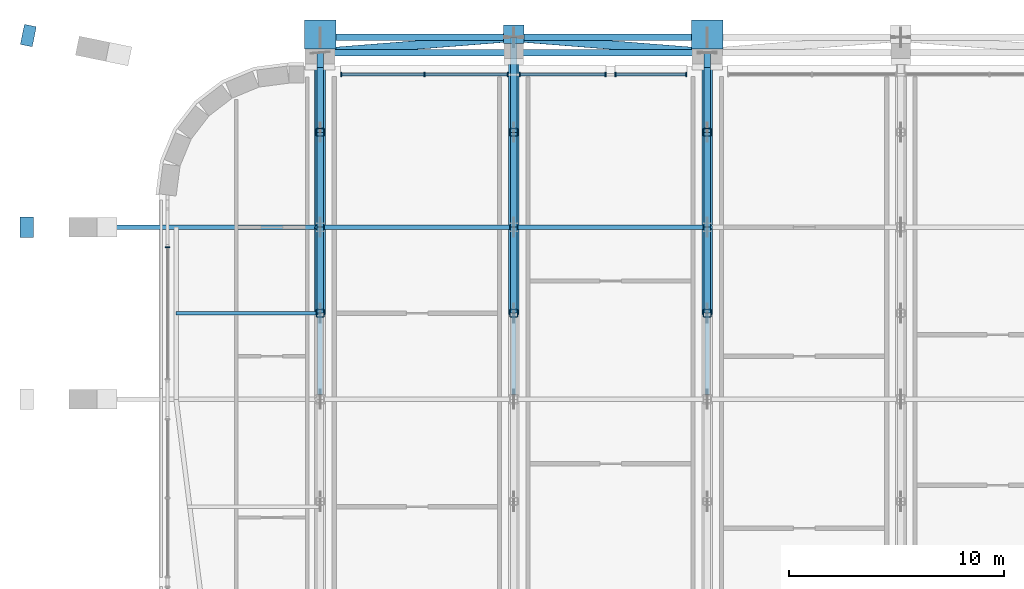
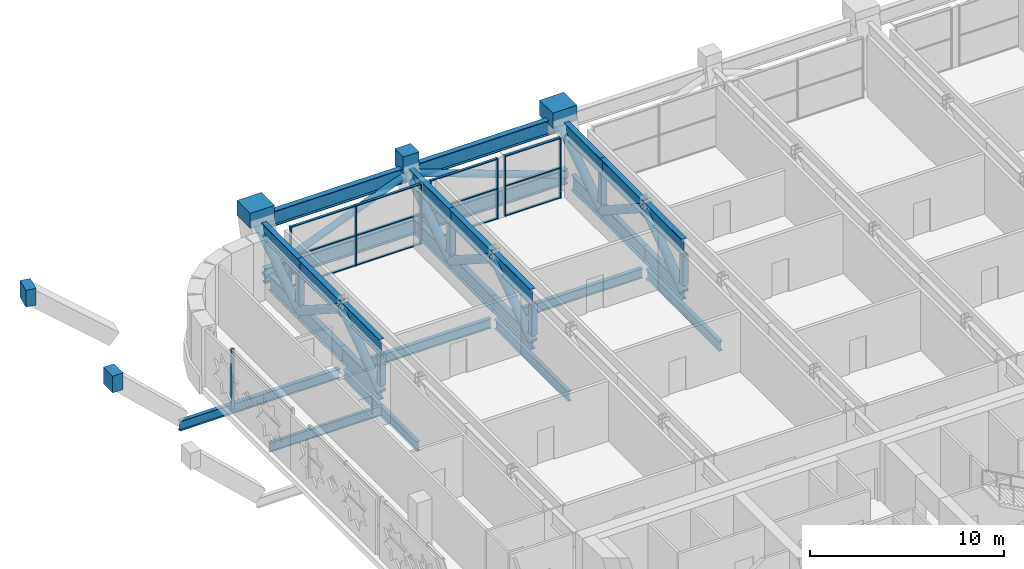
# One storey, part 8 of 26: 59 members, 12 beams, 4 elements without a shape of their own.
"""IFC4 building model written with IfcOpenShell, lengths in metres."""

from ifc_helpers import new_model, si_unit, direction, frame, origin, origin_2d, place, context, subcontext, project, spatial, rectangle, hollow_rectangle, hollow_circle, i_section, extrude, material, material_profile, profile_set, type_object, element, aggregate, save


model = new_model("IFC4")

# Units and contexts
model_context = context("Model", 3, precision=1e-05, world=origin(), true_north=direction((0.0, 1.0)))
body_context = subcontext(model_context, "Body", "Model", "MODEL_VIEW")
ifc_project = project(units=[si_unit("LENGTHUNIT", "METRE"), si_unit("AREAUNIT", "SQUARE_METRE"), si_unit("VOLUMEUNIT", "CUBIC_METRE"), si_unit("PLANEANGLEUNIT", "RADIAN"), si_unit("MASSUNIT", "GRAM", prefix="KILO")], contexts=[model_context])

# Site, building, storey
site_placement = place(None, origin())
site = spatial("IfcSite", under=ifc_project, at=site_placement, CompositionType="ELEMENT")
building_placement = place(site_placement, origin())
building = spatial("IfcBuilding", under=site, at=building_placement, Name="Zellij Exchange Tower", CompositionType="ELEMENT")
storey_placement = place(building_placement, frame((0.0, 0.0, 216.5)))
storey = spatial("IfcBuildingStorey", under=building, at=storey_placement, Name="L50", CompositionType="ELEMENT", Elevation=216.5)

# Curtain wall, members
ifc_material_1 = material(Name="Aluminium frame, clear insulating glass", Category="aluminium")
curtain_wall_type = type_object("IfcCurtainWallType", Name="ENV-CW2 Outrigger-storey glazing", PredefinedType="NOTDEFINED", material=ifc_material_1)
curtain_wall_1_placement = place(storey_placement, origin())
curtain_wall_1 = element("IfcCurtainWall", 1, at=curtain_wall_1_placement, inside=storey, type_object=curtain_wall_type, Name="cw.L50.14f", PredefinedType="NOTDEFINED")
ifc_material_2 = material(Name="Aluminium", Category="aluminium")
ifc_material_profile_1 = material_profile(ifc_material_2, rectangle(XDim=0.06005859375, YDim=0.199951171875, at=origin_2d()), Name="AL 60x200")
ifc_profile_set_1 = profile_set([ifc_material_profile_1], Name="Aluminium")
member_type_1 = type_object("IfcMemberType", Name="ENV-CW2M Mullion 60x200", PredefinedType="MULLION", material=ifc_profile_set_1)
member_1_placement = place(storey_placement, frame((-9.97998046875, 29.10009765625, 0.0), z_axis=(0.0, 0.0, 1.0), x_axis=(-1.0, 0.0, 0.0)))
member_1 = element("IfcMember", 2, at=member_1_placement, type_object=member_type_1, Name="CW2 mullion 1", PredefinedType="MULLION", context=body_context, shape_type="SweptSolid", body=[
    extrude(rectangle(XDim=0.06005859375, YDim=0.199951171875, at=origin_2d()), origin(), (0.0, 0.0, 1.0), 3.800048828125),
])
member_2_placement = place(storey_placement, frame((-13.27001953125, 29.10009765625, 0.0), z_axis=(0.0, 0.0, 1.0), x_axis=(-1.0, 0.0, 0.0)))
member_2 = element("IfcMember", 3, at=member_2_placement, type_object=member_type_1, Name="CW2 mullion 2", PredefinedType="MULLION", context=body_context, shape_type="SweptSolid", body=[
    extrude(rectangle(XDim=0.06005859375, YDim=0.199951171875, at=origin_2d()), origin(), (0.0, 0.0, 1.0), 3.800048828125),
])

curtain_wall_2_placement = place(storey_placement, origin())
curtain_wall_2 = element("IfcCurtainWall", 4, at=curtain_wall_2_placement, inside=storey, type_object=curtain_wall_type, Name="cw.L50.14g.a", PredefinedType="NOTDEFINED")
member_3_placement = place(storey_placement, frame((-13.72998046875, 29.10009765625, 0.0), z_axis=(0.0, 0.0, 1.0), x_axis=(-1.0, 0.0, 0.0)))
member_3 = element("IfcMember", 5, at=member_3_placement, type_object=member_type_1, Name="CW2 mullion 1", PredefinedType="MULLION", context=body_context, shape_type="SweptSolid", body=[
    extrude(rectangle(XDim=0.06005859375, YDim=0.199951171875, at=origin_2d()), origin(), (0.0, 0.0, 1.0), 3.800048828125),
])
member_4_placement = place(storey_placement, frame((-17.72021484375, 29.10009765625, 0.0), z_axis=(0.0, 0.0, 1.0), x_axis=(-1.0, 0.0, 0.0)))
member_4 = element("IfcMember", 6, at=member_4_placement, type_object=member_type_1, Name="CW2 mullion 2", PredefinedType="MULLION", context=body_context, shape_type="SweptSolid", body=[
    extrude(rectangle(XDim=0.06005859375, YDim=0.199951171875, at=origin_2d()), origin(), (0.0, 0.0, 1.0), 3.800048828125),
])

curtain_wall_3_placement = place(storey_placement, origin())
curtain_wall_3 = element("IfcCurtainWall", 7, at=curtain_wall_3_placement, inside=storey, type_object=curtain_wall_type, Name="cw.L50.14g.b", PredefinedType="NOTDEFINED")
member_5_placement = place(storey_placement, frame((-18.27978515625, 29.10009765625, 0.0), z_axis=(0.0, 0.0, 1.0), x_axis=(-1.0, 0.0, 0.0)))
member_5 = element("IfcMember", 8, at=member_5_placement, type_object=member_type_1, Name="CW2 mullion 1", PredefinedType="MULLION", context=body_context, shape_type="SweptSolid", body=[
    extrude(rectangle(XDim=0.06005859375, YDim=0.199951171875, at=origin_2d()), origin(), (0.0, 0.0, 1.0), 3.800048828125),
])
member_6_placement = place(storey_placement, frame((-22.14990234375, 29.10009765625, 0.0), z_axis=(0.0, 0.0, 1.0), x_axis=(-1.0, 0.0, 0.0)))
member_6 = element("IfcMember", 9, at=member_6_placement, type_object=member_type_1, Name="CW2 mullion 2", PredefinedType="MULLION", context=body_context, shape_type="SweptSolid", body=[
    extrude(rectangle(XDim=0.06005859375, YDim=0.199951171875, at=origin_2d()), origin(), (0.0, 0.0, 1.0), 3.800048828125),
])
member_7_placement = place(storey_placement, frame((-26.02001953125, 29.10009765625, 0.0), z_axis=(0.0, 0.0, 1.0), x_axis=(-1.0, 0.0, 0.0)))
member_7 = element("IfcMember", 10, at=member_7_placement, type_object=member_type_1, Name="CW2 mullion 3", PredefinedType="MULLION", context=body_context, shape_type="SweptSolid", body=[
    extrude(rectangle(XDim=0.06005859375, YDim=0.199951171875, at=origin_2d()), origin(), (0.0, 0.0, 1.0), 3.800048828125),
])

# Curtain wall, member
curtain_wall_4_placement = place(storey_placement, origin())
curtain_wall_4 = element("IfcCurtainWall", 11, at=curtain_wall_4_placement, inside=storey, type_object=curtain_wall_type, Name="cw.L50.21a.a", PredefinedType="NOTDEFINED")
member_8_placement = place(storey_placement, frame((-34.10009765625, 21.070068359375, 0.0), z_axis=(0.0, 0.0, 1.0), x_axis=(0.0, -1.0, 0.0)))
member_8 = element("IfcMember", 12, at=member_8_placement, type_object=member_type_1, Name="CW2 mullion 1", PredefinedType="MULLION", context=body_context, shape_type="SweptSolid", body=[
    extrude(rectangle(XDim=0.06005859375, YDim=0.199951171875, at=origin_2d()), origin(), (0.0, 0.0, 1.0), 3.800048828125),
])
aggregate(curtain_wall_4, [member_8])

# Member
ifc_material_profile_2 = material_profile(ifc_material_2, rectangle(XDim=0.139892578125, YDim=0.06005859375, at=origin_2d()), Name="AL 140x60")
ifc_profile_set_2 = profile_set([ifc_material_profile_2], Name="Aluminium")
member_type_2 = type_object("IfcMemberType", Name="ENV-CW2T Transom 140x60", PredefinedType="USERDEFINED", material=ifc_profile_set_2)
member_9_placement = place(storey_placement, frame((-10.010009765625, 29.10009765625, 0.030029296875), z_axis=(-1.0, 0.0, 0.0), x_axis=(0.0, -1.0, 0.0)))
member_9 = element("IfcMember", 13, at=member_9_placement, type_object=member_type_2, Name="CW2 transom 1.1", ObjectType="TRANSOM", PredefinedType="USERDEFINED", context=body_context, shape_type="SweptSolid", body=[
    extrude(rectangle(XDim=0.139892578125, YDim=0.06005859375, at=origin_2d()), origin(), (0.0, 0.0, 1.0), 3.22998046875),
])

member_10_placement = place(storey_placement, frame((-10.010009765625, 29.10009765625, 1.89990234375), z_axis=(-1.0, 0.0, 0.0), x_axis=(0.0, -1.0, 0.0)))
member_10 = element("IfcMember", 14, at=member_10_placement, type_object=member_type_2, Name="CW2 transom 1.2", ObjectType="TRANSOM", PredefinedType="USERDEFINED", context=body_context, shape_type="SweptSolid", body=[
    extrude(rectangle(XDim=0.139892578125, YDim=0.06005859375, at=origin_2d()), origin(), (0.0, 0.0, 1.0), 3.22998046875),
])

member_11_placement = place(storey_placement, frame((-10.010009765625, 29.10009765625, 3.77001953125), z_axis=(-1.0, 0.0, 0.0), x_axis=(0.0, -1.0, 0.0)))
member_11 = element("IfcMember", 15, at=member_11_placement, type_object=member_type_2, Name="CW2 transom 1.3", ObjectType="TRANSOM", PredefinedType="USERDEFINED", context=body_context, shape_type="SweptSolid", body=[
    extrude(rectangle(XDim=0.139892578125, YDim=0.06005859375, at=origin_2d()), origin(), (0.0, 0.0, 1.0), 3.22998046875),
])

aggregate(curtain_wall_1, [member_1, member_2, member_9, member_10, member_11])

member_12_placement = place(storey_placement, frame((-13.760009765625, 29.10009765625, 0.030029296875), z_axis=(-1.0, 0.0, 0.0), x_axis=(0.0, -1.0, 0.0)))
member_12 = element("IfcMember", 16, at=member_12_placement, type_object=member_type_2, Name="CW2 transom 1.1", ObjectType="TRANSOM", PredefinedType="USERDEFINED", context=body_context, shape_type="SweptSolid", body=[
    extrude(rectangle(XDim=0.139892578125, YDim=0.06005859375, at=origin_2d()), origin(), (0.0, 0.0, 1.0), 3.93017578125),
])

member_13_placement = place(storey_placement, frame((-13.760009765625, 29.10009765625, 1.89990234375), z_axis=(-1.0, 0.0, 0.0), x_axis=(0.0, -1.0, 0.0)))
member_13 = element("IfcMember", 17, at=member_13_placement, type_object=member_type_2, Name="CW2 transom 1.2", ObjectType="TRANSOM", PredefinedType="USERDEFINED", context=body_context, shape_type="SweptSolid", body=[
    extrude(rectangle(XDim=0.139892578125, YDim=0.06005859375, at=origin_2d()), origin(), (0.0, 0.0, 1.0), 3.93017578125),
])

member_14_placement = place(storey_placement, frame((-13.760009765625, 29.10009765625, 3.77001953125), z_axis=(-1.0, 0.0, 0.0), x_axis=(0.0, -1.0, 0.0)))
member_14 = element("IfcMember", 18, at=member_14_placement, type_object=member_type_2, Name="CW2 transom 1.3", ObjectType="TRANSOM", PredefinedType="USERDEFINED", context=body_context, shape_type="SweptSolid", body=[
    extrude(rectangle(XDim=0.139892578125, YDim=0.06005859375, at=origin_2d()), origin(), (0.0, 0.0, 1.0), 3.93017578125),
])

aggregate(curtain_wall_2, [member_3, member_4, member_12, member_13, member_14])

member_15_placement = place(storey_placement, frame((-18.309814453125, 29.10009765625, 0.030029296875), z_axis=(-1.0, 0.0, 0.0), x_axis=(0.0, -1.0, 0.0)))
member_15 = element("IfcMember", 19, at=member_15_placement, type_object=member_type_2, Name="CW2 transom 1.1", ObjectType="TRANSOM", PredefinedType="USERDEFINED", context=body_context, shape_type="SweptSolid", body=[
    extrude(rectangle(XDim=0.139892578125, YDim=0.06005859375, at=origin_2d()), origin(), (0.0, 0.0, 1.0), 3.81005859375),
])

member_16_placement = place(storey_placement, frame((-18.309814453125, 29.10009765625, 1.89990234375), z_axis=(-1.0, 0.0, 0.0), x_axis=(0.0, -1.0, 0.0)))
member_16 = element("IfcMember", 20, at=member_16_placement, type_object=member_type_2, Name="CW2 transom 1.2", ObjectType="TRANSOM", PredefinedType="USERDEFINED", context=body_context, shape_type="SweptSolid", body=[
    extrude(rectangle(XDim=0.139892578125, YDim=0.06005859375, at=origin_2d()), origin(), (0.0, 0.0, 1.0), 3.81005859375),
])

member_17_placement = place(storey_placement, frame((-18.309814453125, 29.10009765625, 3.77001953125), z_axis=(-1.0, 0.0, 0.0), x_axis=(0.0, -1.0, 0.0)))
member_17 = element("IfcMember", 21, at=member_17_placement, type_object=member_type_2, Name="CW2 transom 1.3", ObjectType="TRANSOM", PredefinedType="USERDEFINED", context=body_context, shape_type="SweptSolid", body=[
    extrude(rectangle(XDim=0.139892578125, YDim=0.06005859375, at=origin_2d()), origin(), (0.0, 0.0, 1.0), 3.81005859375),
])

member_18_placement = place(storey_placement, frame((-22.179931640625, 29.10009765625, 0.030029296875), z_axis=(-1.0, 0.0, 0.0), x_axis=(0.0, -1.0, 0.0)))
member_18 = element("IfcMember", 22, at=member_18_placement, type_object=member_type_2, Name="CW2 transom 2.1", ObjectType="TRANSOM", PredefinedType="USERDEFINED", context=body_context, shape_type="SweptSolid", body=[
    extrude(rectangle(XDim=0.139892578125, YDim=0.06005859375, at=origin_2d()), origin(), (0.0, 0.0, 1.0), 3.81005859375),
])

member_19_placement = place(storey_placement, frame((-22.179931640625, 29.10009765625, 1.89990234375), z_axis=(-1.0, 0.0, 0.0), x_axis=(0.0, -1.0, 0.0)))
member_19 = element("IfcMember", 23, at=member_19_placement, type_object=member_type_2, Name="CW2 transom 2.2", ObjectType="TRANSOM", PredefinedType="USERDEFINED", context=body_context, shape_type="SweptSolid", body=[
    extrude(rectangle(XDim=0.139892578125, YDim=0.06005859375, at=origin_2d()), origin(), (0.0, 0.0, 1.0), 3.81005859375),
])

member_20_placement = place(storey_placement, frame((-22.179931640625, 29.10009765625, 3.77001953125), z_axis=(-1.0, 0.0, 0.0), x_axis=(0.0, -1.0, 0.0)))
member_20 = element("IfcMember", 24, at=member_20_placement, type_object=member_type_2, Name="CW2 transom 2.3", ObjectType="TRANSOM", PredefinedType="USERDEFINED", context=body_context, shape_type="SweptSolid", body=[
    extrude(rectangle(XDim=0.139892578125, YDim=0.06005859375, at=origin_2d()), origin(), (0.0, 0.0, 1.0), 3.81005859375),
])

aggregate(curtain_wall_3, [member_5, member_6, member_7, member_15, member_16, member_17, member_18, member_19, member_20])

# Beam
ifc_material_3 = material(Name="Structural steel ASTM A992 Gr 50", Category="steel")
ifc_material_profile_3 = material_profile(ifc_material_3, i_section(OverallWidth=0.177978515625, OverallDepth=0.599365234375, WebThickness=0.010009765625, FlangeThickness=0.012939453125, at=origin_2d()), Name="W24x55")
ifc_profile_set_3 = profile_set([ifc_material_profile_3], Name="Structural steel ASTM A992 Gr 50")
beam_type_1 = type_object("IfcBeamType", Name="STR-BEAM W24x55", PredefinedType="BEAM", material=ifc_profile_set_3)
beam_1_placement = place(storey_placement, frame((-33.699951171875, 18.0, -0.649658203125), z_axis=(1.0, 0.0, 0.0), x_axis=(0.0, 1.0, 0.0)))
element("IfcBeam", 25, at=beam_1_placement, inside=storey, type_object=beam_type_1, Name="B4", PredefinedType="BEAM", context=body_context, shape_type="SweptSolid", body=[
    extrude(i_section(OverallWidth=0.177978515625, OverallDepth=0.599365234375, WebThickness=0.010009765625, FlangeThickness=0.012939453125, at=origin_2d()), origin(), (0.0, 0.0, 1.0), 6.699951171875),
])

# Members
ifc_material_profile_4 = material_profile(ifc_material_3, i_section(OverallWidth=0.307373046875, OverallDepth=0.9423828125, WebThickness=0.022216796875, FlangeThickness=0.039794921875, at=origin_2d()), Name="W36x232")
ifc_profile_set_4 = profile_set([ifc_material_profile_4], Name="Structural steel ASTM A992 Gr 50")
member_type_3 = type_object("IfcMemberType", Name="STR-BELT TRUSS CHORD W36x232", PredefinedType="CHORD", material=ifc_profile_set_4)
for number, where, z_axis, x_axis, name in (
    (26, (-27.0, 30.117919921875, 0.47119140625), (1.0, 0.0, 0.0), (0.0, 1.0, 0.0), "BT1"),
    (27, (-27.0, 30.832275390625, 3.328857421875), (1.0, 0.0, 0.0), (0.0, 1.0, 0.0), "BT1"),
    (28, (-18.0, 30.117919921875, 0.47119140625), (1.0, 0.0, 0.0), (0.0, 1.0, 0.0), "BT1"),
    (29, (-18.0, 30.832275390625, 3.328857421875), (1.0, 0.0, 0.0), (0.0, 1.0, 0.0), "BT1"),
):
    element("IfcMember", number, at=place(storey_placement, frame(where, z_axis=z_axis, x_axis=x_axis)), inside=storey, type_object=member_type_3, Name=name, PredefinedType="CHORD", context=body_context, shape_type="SweptSolid", body=[
        extrude(i_section(OverallWidth=0.307373046875, OverallDepth=0.9423828125, WebThickness=0.022216796875, FlangeThickness=0.039794921875, at=origin_2d()), origin(), (0.0, 0.0, 1.0), 9.0),
    ])
ifc_material_4 = material(Name="Structural steel ASTM A500 Gr C", Category="steel")
ifc_material_profile_5 = material_profile(ifc_material_4, hollow_circle(Radius=0.203125, WallThickness=0.01171875, at=origin_2d()), Name="STR-BELT TRUSS DIAGONAL HSS16.000x0.500")
ifc_profile_set_5 = profile_set([ifc_material_profile_5], Name="Structural steel ASTM A500 Gr C")
member_type_4 = type_object("IfcMemberType", Name="STR-BELT TRUSS DIAGONAL HSS16.000x0.500", PredefinedType="BRACE", material=ifc_profile_set_5)
for number, where, z_axis, x_axis, name in (
    (30, (-27.0, 30.117919921875, 0.47119140625), (0.950392591406, 0.075435349459, 0.301767178885), (-0.079123978831, 0.996864783195, 0.0), "BT2"),
    (31, (-18.0, 30.832275390625, 3.328857421875), (0.950392591406, -0.075435349459, -0.301767178885), (0.079123978831, 0.996864783195, 0.0), "BT2"),
):
    element("IfcMember", number, at=place(storey_placement, frame(where, z_axis=z_axis, x_axis=x_axis)), inside=storey, type_object=member_type_4, Name=name, PredefinedType="BRACE", context=body_context, shape_type="SweptSolid", body=[
        extrude(hollow_circle(Radius=0.203125, WallThickness=0.01171875, at=origin_2d()), origin(), (0.0, 0.0, 1.0), 9.4697265625),
    ])

# Beams
ifc_material_5 = material(Name="Concrete C60/75", Category="concrete")
ifc_material_profile_6 = material_profile(ifc_material_5, rectangle(XDim=0.949951171875, YDim=1.050048828125, at=origin_2d()), Name="STR-END BLOCK KNUCKLE RC950x1050 C60/75")
ifc_profile_set_6 = profile_set([ifc_material_profile_6], Name="Concrete C60/75")
beam_type_2 = type_object("IfcBeamType", Name="STR-END BLOCK KNUCKLE RC950x1050 C60/75", PredefinedType="BEAM", material=ifc_profile_set_6)
beam_2_placement = place(storey_placement, frame((-40.343505859375, 22.0, 3.675048828125), z_axis=(-1.0, 0.0, 0.0), x_axis=(0.0, -1.0, 0.0)))
element("IfcBeam", 32, at=beam_2_placement, inside=storey, type_object=beam_type_2, Name="EK1", PredefinedType="BEAM", context=body_context, shape_type="SweptSolid", body=[
    extrude(rectangle(XDim=0.949951171875, YDim=1.050048828125, at=origin_2d()), origin(), (0.0, 0.0, 1.0), 0.61669921875),
])
beam_3_placement = place(storey_placement, frame((-40.29638671875, 30.855712890625, 3.625), z_axis=(-0.979602700641, 0.200944143721, 0.0), x_axis=(-0.200944143721, -0.979602700641, 0.0)))
element("IfcBeam", 33, at=beam_3_placement, inside=storey, type_object=beam_type_2, Name="EK1", PredefinedType="BEAM", context=body_context, shape_type="SweptSolid", body=[
    extrude(rectangle(XDim=0.949951171875, YDim=1.050048828125, at=origin_2d()), origin(), (0.0, 0.0, 1.0), 0.563720703125),
])
ifc_material_profile_7 = material_profile(ifc_material_3, i_section(OverallWidth=0.228271484375, OverallDepth=0.607177734375, WebThickness=0.01123046875, FlangeThickness=0.017333984375, at=origin_2d()), Name="W24x76")
ifc_profile_set_7 = profile_set([ifc_material_profile_7], Name="Structural steel ASTM A992 Gr 50")
beam_type_3 = type_object("IfcBeamType", Name="STR-GIRDER W24x76", PredefinedType="BEAM", material=ifc_profile_set_7)
beam_4_placement = place(storey_placement, frame((-36.75, 22.0, -0.653564453125), z_axis=(1.0, 0.0, 0.0), x_axis=(0.0, 1.0, 0.0)))
element("IfcBeam", 34, at=beam_4_placement, inside=storey, type_object=beam_type_3, Name="G2", PredefinedType="BEAM", context=body_context, shape_type="SweptSolid", body=[
    extrude(i_section(OverallWidth=0.228271484375, OverallDepth=0.607177734375, WebThickness=0.01123046875, FlangeThickness=0.017333984375, at=origin_2d()), origin(), (0.0, 0.0, 1.0), 9.54541015625),
])
for number, where, z_axis, x_axis, name in (
    (35, (-26.79541015625, 22.0, -0.653564453125), (1.0, 0.0, 0.0), (0.0, 1.0, 0.0), "G2"),
    (36, (-17.79541015625, 22.0, -0.653564453125), (1.0, 0.0, 0.0), (0.0, 1.0, 0.0), "G2"),
):
    element("IfcBeam", number, at=place(storey_placement, frame(where, z_axis=z_axis, x_axis=x_axis)), inside=storey, type_object=beam_type_3, Name=name, PredefinedType="BEAM", context=body_context, shape_type="SweptSolid", body=[
        extrude(i_section(OverallWidth=0.228271484375, OverallDepth=0.607177734375, WebThickness=0.01123046875, FlangeThickness=0.017333984375, at=origin_2d()), origin(), (0.0, 0.0, 1.0), 8.5908203125),
    ])
for number, where, z_axis, x_axis, name in (
    (37, (-27.0, 14.212158203125, -0.653564453125), (0.0, 1.0, 0.0), (-1.0, 0.0, 0.0), "G2"),
    (38, (-18.0, 14.212158203125, -0.653564453125), (0.0, 1.0, 0.0), (-1.0, 0.0, 0.0), "G2"),
    (39, (-9.0, 14.212158203125, -0.653564453125), (0.0, 1.0, 0.0), (-1.0, 0.0, 0.0), "G2"),
):
    element("IfcBeam", number, at=place(storey_placement, frame(where, z_axis=z_axis, x_axis=x_axis)), inside=storey, type_object=beam_type_3, Name=name, PredefinedType="BEAM", context=body_context, shape_type="SweptSolid", body=[
        extrude(i_section(OverallWidth=0.228271484375, OverallDepth=0.607177734375, WebThickness=0.01123046875, FlangeThickness=0.017333984375, at=origin_2d()), origin(), (0.0, 0.0, 1.0), 7.57568359375),
    ])
ifc_material_profile_8 = material_profile(ifc_material_5, rectangle(XDim=1.449951171875, YDim=0.949951171875, at=origin_2d()), Name="STR-KNUCKLE BLOCK RC1450x950 C60/75")
ifc_profile_set_8 = profile_set([ifc_material_profile_8], Name="Concrete C60/75")
beam_type_4 = type_object("IfcBeamType", Name="STR-KNUCKLE BLOCK RC1450x950 C60/75", PredefinedType="BEAM", material=ifc_profile_set_8)
for number, where, z_axis, x_axis, name in (
    (40, (-27.0, 30.278564453125, 4.02490234375), (0.0, 1.0, 0.0), (-1.0, 0.0, 0.0), "KB7"),
    (41, (-9.0, 30.278564453125, 4.02490234375), (0.0, 1.0, 0.0), (-1.0, 0.0, 0.0), "KB7"),
):
    element("IfcBeam", number, at=place(storey_placement, frame(where, z_axis=z_axis, x_axis=x_axis)), inside=storey, type_object=beam_type_4, Name=name, PredefinedType="BEAM", context=body_context, shape_type="SweptSolid", body=[
        extrude(rectangle(XDim=1.449951171875, YDim=0.949951171875, at=origin_2d()), origin(), (0.0, 0.0, 1.0), 1.358154296875),
    ])
ifc_material_profile_9 = material_profile(ifc_material_5, rectangle(XDim=0.949951171875, YDim=1.050048828125, at=origin_2d()), Name="STR-KNUCKLE BLOCK RC950x1050 C60/75")
ifc_profile_set_9 = profile_set([ifc_material_profile_9], Name="Concrete C60/75")
beam_type_5 = type_object("IfcBeamType", Name="STR-KNUCKLE BLOCK RC950x1050 C60/75", PredefinedType="BEAM", material=ifc_profile_set_9)
beam_5_placement = place(storey_placement, frame((-18.0, 30.5361328125, 4.125), z_axis=(0.0, 1.0, 0.0), x_axis=(-1.0, 0.0, 0.0)))
element("IfcBeam", 42, at=beam_5_placement, inside=storey, type_object=beam_type_5, Name="KB2", PredefinedType="BEAM", context=body_context, shape_type="SweptSolid", body=[
    extrude(rectangle(XDim=0.949951171875, YDim=1.050048828125, at=origin_2d()), origin(), (0.0, 0.0, 1.0), 0.873046875),
])

# Members
ifc_material_6 = material(Name="Structural steel ASTM A913 Gr 65", Category="steel")
ifc_material_profile_10 = material_profile(ifc_material_6, i_section(OverallWidth=0.2998046875, OverallDepth=0.965087890625, WebThickness=0.01904296875, FlangeThickness=0.0361328125, at=origin_2d()), Name="W40x249")
ifc_profile_set_10 = profile_set([ifc_material_profile_10], Name="Structural steel ASTM A913 Gr 65")
member_type_5 = type_object("IfcMemberType", Name="STR-OUTRIGGER TRUSS CHORD W40x249", PredefinedType="CHORD", material=ifc_profile_set_10)
for number, where, z_axis, x_axis, name in (
    (43, (-27.0, 18.0, 3.3173828125), (0.0, 1.0, 0.0), (-1.0, 0.0, 0.0), "OT1"),
    (44, (-27.0, 18.0, 0.482666015625), (0.0, 1.0, 0.0), (-1.0, 0.0, 0.0), "OT1"),
):
    element("IfcMember", number, at=place(storey_placement, frame(where, z_axis=z_axis, x_axis=x_axis)), inside=storey, type_object=member_type_5, Name=name, PredefinedType="CHORD", context=body_context, shape_type="SweptSolid", body=[
        extrude(i_section(OverallWidth=0.2998046875, OverallDepth=0.965087890625, WebThickness=0.01904296875, FlangeThickness=0.0361328125, at=origin_2d()), origin(), (0.0, 0.0, 1.0), 4.0),
    ])
for number, where, z_axis, x_axis, name in (
    (45, (-27.0, 22.0, 3.3173828125), (0.0, 1.0, 0.0), (-1.0, 0.0, 0.0), "OT1"),
    (46, (-27.0, 22.0, 0.482666015625), (0.0, 1.0, 0.0), (-1.0, 0.0, 0.0), "OT1"),
):
    element("IfcMember", number, at=place(storey_placement, frame(where, z_axis=z_axis, x_axis=x_axis)), inside=storey, type_object=member_type_5, Name=name, PredefinedType="CHORD", context=body_context, shape_type="SweptSolid", body=[
        extrude(i_section(OverallWidth=0.2998046875, OverallDepth=0.965087890625, WebThickness=0.01904296875, FlangeThickness=0.0361328125, at=origin_2d()), origin(), (0.0, 0.0, 1.0), 4.4150390625),
    ])
member_21_placement = place(storey_placement, frame((-27.0, 26.4150390625, 3.3173828125), z_axis=(0.0, 1.0, 0.0), x_axis=(-1.0, 0.0, 0.0)))
element("IfcMember", 47, at=member_21_placement, inside=storey, type_object=member_type_5, Name="OT1", PredefinedType="CHORD", context=body_context, shape_type="SweptSolid", body=[
    extrude(i_section(OverallWidth=0.2998046875, OverallDepth=0.965087890625, WebThickness=0.01904296875, FlangeThickness=0.0361328125, at=origin_2d()), origin(), (0.0, 0.0, 1.0), 3.71435546875),
])
member_22_placement = place(storey_placement, frame((-27.0, 26.4150390625, 0.482666015625), z_axis=(0.0, 1.0, 0.0), x_axis=(-1.0, 0.0, 0.0)))
element("IfcMember", 48, at=member_22_placement, inside=storey, type_object=member_type_5, Name="OT1", PredefinedType="CHORD", context=body_context, shape_type="SweptSolid", body=[
    extrude(i_section(OverallWidth=0.2998046875, OverallDepth=0.965087890625, WebThickness=0.01904296875, FlangeThickness=0.0361328125, at=origin_2d()), origin(), (0.0, 0.0, 1.0), 3.005615234375),
])
for number, where, z_axis, x_axis, name in (
    (49, (-18.0, 18.0, 3.3173828125), (0.0, 1.0, 0.0), (-1.0, 0.0, 0.0), "OT1"),
    (50, (-18.0, 18.0, 0.482666015625), (0.0, 1.0, 0.0), (-1.0, 0.0, 0.0), "OT1"),
):
    element("IfcMember", number, at=place(storey_placement, frame(where, z_axis=z_axis, x_axis=x_axis)), inside=storey, type_object=member_type_5, Name=name, PredefinedType="CHORD", context=body_context, shape_type="SweptSolid", body=[
        extrude(i_section(OverallWidth=0.2998046875, OverallDepth=0.965087890625, WebThickness=0.01904296875, FlangeThickness=0.0361328125, at=origin_2d()), origin(), (0.0, 0.0, 1.0), 4.0),
    ])
for number, where, z_axis, x_axis, name in (
    (51, (-18.0, 22.0, 3.3173828125), (0.0, 1.0, 0.0), (-1.0, 0.0, 0.0), "OT1"),
    (52, (-18.0, 22.0, 0.482666015625), (0.0, 1.0, 0.0), (-1.0, 0.0, 0.0), "OT1"),
):
    element("IfcMember", number, at=place(storey_placement, frame(where, z_axis=z_axis, x_axis=x_axis)), inside=storey, type_object=member_type_5, Name=name, PredefinedType="CHORD", context=body_context, shape_type="SweptSolid", body=[
        extrude(i_section(OverallWidth=0.2998046875, OverallDepth=0.965087890625, WebThickness=0.01904296875, FlangeThickness=0.0361328125, at=origin_2d()), origin(), (0.0, 0.0, 1.0), 4.4150390625),
    ])
member_23_placement = place(storey_placement, frame((-18.0, 26.4150390625, 3.3173828125), z_axis=(0.0, 1.0, 0.0), x_axis=(-1.0, 0.0, 0.0)))
element("IfcMember", 53, at=member_23_placement, inside=storey, type_object=member_type_5, Name="OT1", PredefinedType="CHORD", context=body_context, shape_type="SweptSolid", body=[
    extrude(i_section(OverallWidth=0.2998046875, OverallDepth=0.965087890625, WebThickness=0.01904296875, FlangeThickness=0.0361328125, at=origin_2d()), origin(), (0.0, 0.0, 1.0), 4.414306640625),
])
member_24_placement = place(storey_placement, frame((-18.0, 26.4150390625, 0.482666015625), z_axis=(0.0, 1.0, 0.0), x_axis=(-1.0, 0.0, 0.0)))
element("IfcMember", 54, at=member_24_placement, inside=storey, type_object=member_type_5, Name="OT1", PredefinedType="CHORD", context=body_context, shape_type="SweptSolid", body=[
    extrude(i_section(OverallWidth=0.2998046875, OverallDepth=0.965087890625, WebThickness=0.01904296875, FlangeThickness=0.0361328125, at=origin_2d()), origin(), (0.0, 0.0, 1.0), 3.70556640625),
])
for number, where, z_axis, x_axis, name in (
    (55, (-9.0, 18.0, 3.3173828125), (0.0, 1.0, 0.0), (-1.0, 0.0, 0.0), "OT1"),
    (56, (-9.0, 18.0, 0.482666015625), (0.0, 1.0, 0.0), (-1.0, 0.0, 0.0), "OT1"),
):
    element("IfcMember", number, at=place(storey_placement, frame(where, z_axis=z_axis, x_axis=x_axis)), inside=storey, type_object=member_type_5, Name=name, PredefinedType="CHORD", context=body_context, shape_type="SweptSolid", body=[
        extrude(i_section(OverallWidth=0.2998046875, OverallDepth=0.965087890625, WebThickness=0.01904296875, FlangeThickness=0.0361328125, at=origin_2d()), origin(), (0.0, 0.0, 1.0), 4.0),
    ])
for number, where, z_axis, x_axis, name in (
    (57, (-9.0, 22.0, 3.3173828125), (0.0, 1.0, 0.0), (-1.0, 0.0, 0.0), "OT1"),
    (58, (-9.0, 22.0, 0.482666015625), (0.0, 1.0, 0.0), (-1.0, 0.0, 0.0), "OT1"),
):
    element("IfcMember", number, at=place(storey_placement, frame(where, z_axis=z_axis, x_axis=x_axis)), inside=storey, type_object=member_type_5, Name=name, PredefinedType="CHORD", context=body_context, shape_type="SweptSolid", body=[
        extrude(i_section(OverallWidth=0.2998046875, OverallDepth=0.965087890625, WebThickness=0.01904296875, FlangeThickness=0.0361328125, at=origin_2d()), origin(), (0.0, 0.0, 1.0), 4.4150390625),
    ])
member_25_placement = place(storey_placement, frame((-9.0, 26.4150390625, 3.3173828125), z_axis=(0.0, 1.0, 0.0), x_axis=(-1.0, 0.0, 0.0)))
element("IfcMember", 59, at=member_25_placement, inside=storey, type_object=member_type_5, Name="OT1", PredefinedType="CHORD", context=body_context, shape_type="SweptSolid", body=[
    extrude(i_section(OverallWidth=0.2998046875, OverallDepth=0.965087890625, WebThickness=0.01904296875, FlangeThickness=0.0361328125, at=origin_2d()), origin(), (0.0, 0.0, 1.0), 3.71435546875),
])
member_26_placement = place(storey_placement, frame((-9.0, 26.4150390625, 0.482666015625), z_axis=(0.0, 1.0, 0.0), x_axis=(-1.0, 0.0, 0.0)))
element("IfcMember", 60, at=member_26_placement, inside=storey, type_object=member_type_5, Name="OT1", PredefinedType="CHORD", context=body_context, shape_type="SweptSolid", body=[
    extrude(i_section(OverallWidth=0.2998046875, OverallDepth=0.965087890625, WebThickness=0.01904296875, FlangeThickness=0.0361328125, at=origin_2d()), origin(), (0.0, 0.0, 1.0), 3.005615234375),
])
ifc_material_profile_11 = material_profile(ifc_material_4, hollow_circle(Radius=0.25390625, WallThickness=0.01171875, at=origin_2d()), Name="STR-OUTRIGGER TRUSS DIAGONAL HSS20.000x0.500")
ifc_profile_set_11 = profile_set([ifc_material_profile_11], Name="Structural steel ASTM A500 Gr C")
member_type_6 = type_object("IfcMemberType", Name="STR-OUTRIGGER TRUSS DIAGONAL HSS20.000x0.500", PredefinedType="BRACE", material=ifc_profile_set_11)
member_27_placement = place(storey_placement, frame((-27.0, 18.0, 0.482666015625), z_axis=(0.0, 0.815891357609, 0.57820523396), x_axis=(-1.0, 0.0, 0.0)))
element("IfcMember", 61, at=member_27_placement, inside=storey, type_object=member_type_6, Name="OT2", PredefinedType="BRACE", context=body_context, shape_type="SweptSolid", body=[
    extrude(hollow_circle(Radius=0.25390625, WallThickness=0.01171875, at=origin_2d()), origin(), (0.0, 0.0, 1.0), 4.902587890625),
])
member_28_placement = place(storey_placement, frame((-27.0, 22.0, 3.3173828125), z_axis=(0.0, 0.841483738631, -0.540282442449), x_axis=(-1.0, 0.0, 0.0)))
element("IfcMember", 62, at=member_28_placement, inside=storey, type_object=member_type_6, Name="OT2", PredefinedType="BRACE", context=body_context, shape_type="SweptSolid", body=[
    extrude(hollow_circle(Radius=0.25390625, WallThickness=0.01171875, at=origin_2d()), origin(), (0.0, 0.0, 1.0), 5.246826171875),
])
member_29_placement = place(storey_placement, frame((-27.0, 26.4150390625, 0.482666015625), z_axis=(0.0, 0.84144298271, 0.540345914067), x_axis=(-1.0, 0.0, 0.0)))
element("IfcMember", 63, at=member_29_placement, inside=storey, type_object=member_type_6, Name="OT2", PredefinedType="BRACE", context=body_context, shape_type="SweptSolid", body=[
    extrude(hollow_circle(Radius=0.25390625, WallThickness=0.01171875, at=origin_2d()), origin(), (0.0, 0.0, 1.0), 5.24609375),
])
member_30_placement = place(storey_placement, frame((-18.0, 18.0, 0.482666015625), z_axis=(0.0, 0.815891357609, 0.57820523396), x_axis=(-1.0, 0.0, 0.0)))
element("IfcMember", 64, at=member_30_placement, inside=storey, type_object=member_type_6, Name="OT2", PredefinedType="BRACE", context=body_context, shape_type="SweptSolid", body=[
    extrude(hollow_circle(Radius=0.25390625, WallThickness=0.01171875, at=origin_2d()), origin(), (0.0, 0.0, 1.0), 4.902587890625),
])
member_31_placement = place(storey_placement, frame((-18.0, 22.0, 3.3173828125), z_axis=(0.0, 0.841483738631, -0.540282442449), x_axis=(-1.0, 0.0, 0.0)))
element("IfcMember", 65, at=member_31_placement, inside=storey, type_object=member_type_6, Name="OT2", PredefinedType="BRACE", context=body_context, shape_type="SweptSolid", body=[
    extrude(hollow_circle(Radius=0.25390625, WallThickness=0.01171875, at=origin_2d()), origin(), (0.0, 0.0, 1.0), 5.246826171875),
])
member_32_placement = place(storey_placement, frame((-18.0, 26.4150390625, 0.482666015625), z_axis=(0.0, 0.84144298271, 0.540345914067), x_axis=(-1.0, 0.0, 0.0)))
element("IfcMember", 66, at=member_32_placement, inside=storey, type_object=member_type_6, Name="OT2", PredefinedType="BRACE", context=body_context, shape_type="SweptSolid", body=[
    extrude(hollow_circle(Radius=0.25390625, WallThickness=0.01171875, at=origin_2d()), origin(), (0.0, 0.0, 1.0), 5.24609375),
])
member_33_placement = place(storey_placement, frame((-9.0, 18.0, 0.482666015625), z_axis=(0.0, 0.815891357609, 0.57820523396), x_axis=(-1.0, 0.0, 0.0)))
element("IfcMember", 67, at=member_33_placement, inside=storey, type_object=member_type_6, Name="OT2", PredefinedType="BRACE", context=body_context, shape_type="SweptSolid", body=[
    extrude(hollow_circle(Radius=0.25390625, WallThickness=0.01171875, at=origin_2d()), origin(), (0.0, 0.0, 1.0), 4.902587890625),
])
member_34_placement = place(storey_placement, frame((-9.0, 22.0, 3.3173828125), z_axis=(0.0, 0.841483738631, -0.540282442449), x_axis=(-1.0, 0.0, 0.0)))
element("IfcMember", 68, at=member_34_placement, inside=storey, type_object=member_type_6, Name="OT2", PredefinedType="BRACE", context=body_context, shape_type="SweptSolid", body=[
    extrude(hollow_circle(Radius=0.25390625, WallThickness=0.01171875, at=origin_2d()), origin(), (0.0, 0.0, 1.0), 5.246826171875),
])
member_35_placement = place(storey_placement, frame((-9.0, 26.4150390625, 0.482666015625), z_axis=(0.0, 0.84144298271, 0.540345914067), x_axis=(-1.0, 0.0, 0.0)))
element("IfcMember", 69, at=member_35_placement, inside=storey, type_object=member_type_6, Name="OT2", PredefinedType="BRACE", context=body_context, shape_type="SweptSolid", body=[
    extrude(hollow_circle(Radius=0.25390625, WallThickness=0.01171875, at=origin_2d()), origin(), (0.0, 0.0, 1.0), 5.24609375),
])
ifc_material_profile_12 = material_profile(ifc_material_4, hollow_rectangle(XDim=0.355712890625, YDim=0.355712890625, WallThickness=0.01171875, InnerFilletRadius=0.01171875, OuterFilletRadius=0.023681640625, at=origin_2d()), Name="STR-OUTRIGGER TRUSS POST HSS14x14x1/2")
ifc_profile_set_12 = profile_set([ifc_material_profile_12], Name="Structural steel ASTM A500 Gr C")
member_type_7 = type_object("IfcMemberType", Name="STR-OUTRIGGER TRUSS POST HSS14x14x1/2", PredefinedType="POST", material=ifc_profile_set_12)
for number, where, z_axis, x_axis, name in (
    (70, (-27.0, 18.0, 0.965087890625), (0.0, 0.0, 1.0), (1.0, 0.0, 0.0), "OT3"),
    (71, (-27.0, 26.4150390625, 0.965087890625), (0.0, 0.0, 1.0), (1.0, 0.0, 0.0), "OT3"),
    (72, (-18.0, 18.0, 0.965087890625), (0.0, 0.0, 1.0), (1.0, 0.0, 0.0), "OT3"),
    (73, (-18.0, 26.4150390625, 0.965087890625), (0.0, 0.0, 1.0), (1.0, 0.0, 0.0), "OT3"),
    (74, (-9.0, 18.0, 0.965087890625), (0.0, 0.0, 1.0), (1.0, 0.0, 0.0), "OT3"),
    (75, (-9.0, 26.4150390625, 0.965087890625), (0.0, 0.0, 1.0), (1.0, 0.0, 0.0), "OT3"),
):
    element("IfcMember", number, at=place(storey_placement, frame(where, z_axis=z_axis, x_axis=x_axis)), inside=storey, type_object=member_type_7, Name=name, PredefinedType="POST", context=body_context, shape_type="SweptSolid", body=[
        extrude(hollow_rectangle(XDim=0.355712890625, YDim=0.355712890625, WallThickness=0.01171875, InnerFilletRadius=0.01171875, OuterFilletRadius=0.023681640625, at=origin_2d()), origin(), (0.0, 0.0, 1.0), 1.86962890625),
    ])

save(model, "model.ifc")
